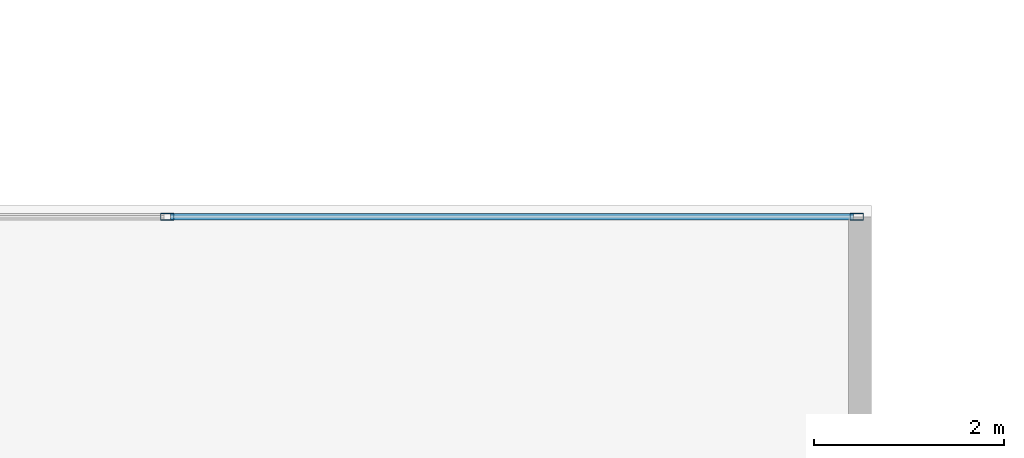
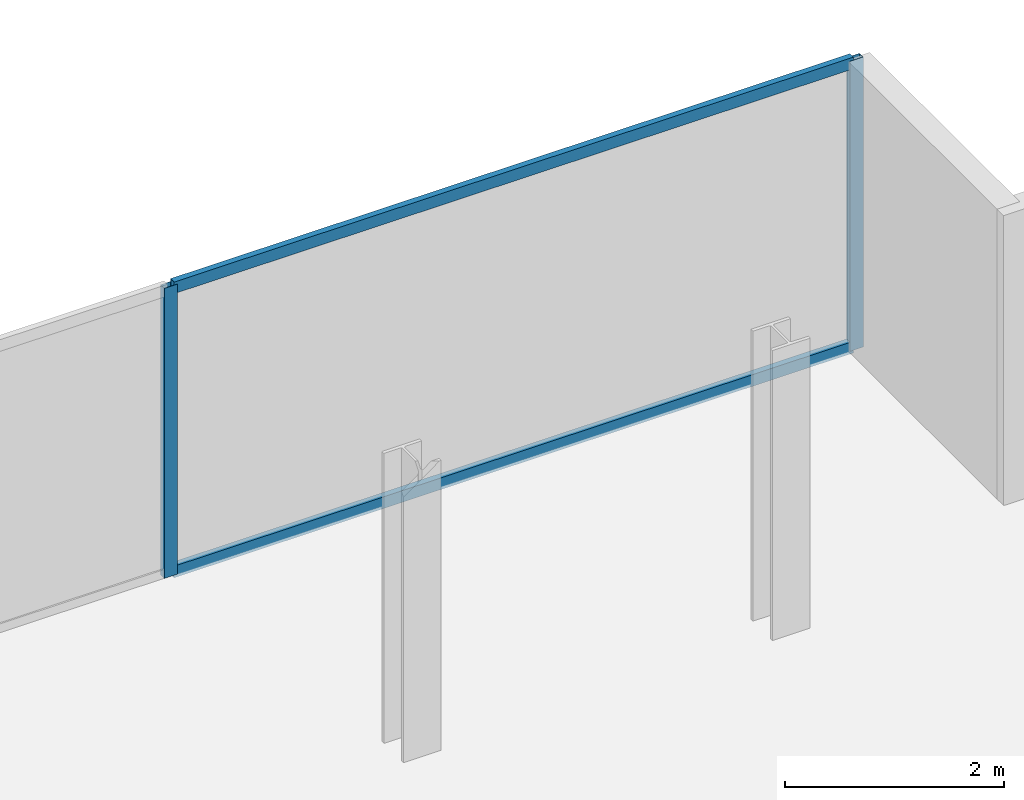
# One storey, part 17 of 24: 4 members, 1 element without a shape of its own.
"""IFC4 building model written with IfcOpenShell, lengths in metres."""

from ifc_helpers import new_model, si_unit, direction, frame, origin, origin_2d, place, context, subcontext, project, spatial, hollow_rectangle, extrude, material, material_profile, profile_set, type_object, element, aggregate, save


model = new_model("IFC4")

# Units and contexts
model_context = context("Model", 3, precision=1e-05, world=origin(), true_north=direction((0.0, 1.0)))
body_context = subcontext(model_context, "Body", "Model", "MODEL_VIEW")
ifc_project = project(units=[si_unit("LENGTHUNIT", "METRE"), si_unit("AREAUNIT", "SQUARE_METRE"), si_unit("VOLUMEUNIT", "CUBIC_METRE"), si_unit("PLANEANGLEUNIT", "RADIAN"), si_unit("MASSUNIT", "GRAM", prefix="KILO")], contexts=[model_context])

# Site, building, storey
site_placement = place(None, origin())
site = spatial("IfcSite", under=ifc_project, at=site_placement, CompositionType="ELEMENT")
building_placement = place(site_placement, origin())
building = spatial("IfcBuilding", under=site, at=building_placement, Name="Cobrela Telecom Tower", CompositionType="ELEMENT")
storey_placement = place(building_placement, frame((0.0, 0.0, 248.14990234375)))
storey = spatial("IfcBuildingStorey", under=building, at=storey_placement, Name="L64", CompositionType="ELEMENT", Elevation=248.14990234375)

# Curtain wall, members
ifc_material = material(Name="Anodized Bronze Aluminium 6063-T6", Category="aluminium")
curtain_wall_type = type_object("IfcCurtainWallType", Name="CW-SYS-OFF-HI", PredefinedType="USERDEFINED", material=ifc_material)
curtain_wall_placement = place(storey_placement, origin())
curtain_wall = element("IfcCurtainWall", 1, at=curtain_wall_placement, inside=storey, type_object=curtain_wall_type, Name="L64 Unitised Bronze Curtain Wall 09", ObjectType="UNITISED CURTAIN WALL", PredefinedType="USERDEFINED")
ifc_material_profile_1 = material_profile(ifc_material, hollow_rectangle(XDim=0.070068359375, YDim=0.139892578125, WallThickness=0.00390625, at=origin_2d()), Name="ALU 70x140x4")
ifc_profile_set_1 = profile_set([ifc_material_profile_1], Name="Anodized Bronze Aluminium 6063-T6")
member_type_1 = type_object("IfcMemberType", Name="CW-SYS-OFF-HI-MUL", PredefinedType="MULLION", material=ifc_profile_set_1)
member_1_placement = place(storey_placement, frame((35.44677734375, 25.080078125, 0.0), z_axis=(0.0, 0.0, 1.0), x_axis=(0.0, 1.0, 0.0)))
member_1 = element("IfcMember", 2, at=member_1_placement, type_object=member_type_1, Name="CW-OFF-HI mullion 3", PredefinedType="MULLION", context=body_context, shape_type="SweptSolid", body=[
    extrude(hollow_rectangle(XDim=0.070068359375, YDim=0.139892578125, WallThickness=0.00390625, at=origin_2d()), origin(), (0.0, 0.0, 1.0), 3.239990234375),
])
member_2_placement = place(storey_placement, frame((42.695068359375, 25.080078125, 0.0), z_axis=(0.0, 0.0, 1.0), x_axis=(0.0, 1.0, 0.0)))
member_2 = element("IfcMember", 3, at=member_2_placement, type_object=member_type_1, Name="CW-OFF-HI mullion 4", PredefinedType="MULLION", context=body_context, shape_type="SweptSolid", body=[
    extrude(hollow_rectangle(XDim=0.070068359375, YDim=0.139892578125, WallThickness=0.00390625, at=origin_2d()), origin(), (0.0, 0.0, 1.0), 3.239990234375),
])
ifc_material_profile_2 = material_profile(ifc_material, hollow_rectangle(XDim=0.06494140625, YDim=0.1298828125, WallThickness=0.00390625, at=origin_2d()), Name="ALU 65x130x4")
ifc_profile_set_2 = profile_set([ifc_material_profile_2], Name="Anodized Bronze Aluminium 6063-T6")
member_type_2 = type_object("IfcMemberType", Name="CW-SYS-OFF-HI-TRN", PredefinedType="USERDEFINED", material=ifc_profile_set_2)
member_3_placement = place(storey_placement, frame((35.481689453125, 25.080078125, 0.03271484375), z_axis=(1.0, 0.0, 0.0), x_axis=(0.0, 1.0, 0.0)))
member_3 = element("IfcMember", 4, at=member_3_placement, type_object=member_type_2, Name="CW-OFF-HI transom 3.1", ObjectType="TRANSOM", PredefinedType="USERDEFINED", context=body_context, shape_type="SweptSolid", body=[
    extrude(hollow_rectangle(XDim=0.06494140625, YDim=0.1298828125, WallThickness=0.00390625, at=origin_2d()), origin(), (0.0, 0.0, 1.0), 7.17822265625),
])
member_4_placement = place(storey_placement, frame((35.481689453125, 25.080078125, 3.20751953125), z_axis=(1.0, 0.0, 0.0), x_axis=(0.0, 1.0, 0.0)))
member_4 = element("IfcMember", 5, at=member_4_placement, type_object=member_type_2, Name="CW-OFF-HI transom 3.2", ObjectType="TRANSOM", PredefinedType="USERDEFINED", context=body_context, shape_type="SweptSolid", body=[
    extrude(hollow_rectangle(XDim=0.06494140625, YDim=0.1298828125, WallThickness=0.00390625, at=origin_2d()), origin(), (0.0, 0.0, 1.0), 7.17822265625),
])
aggregate(curtain_wall, [member_1, member_2, member_3, member_4])

save(model, "model.ifc")
